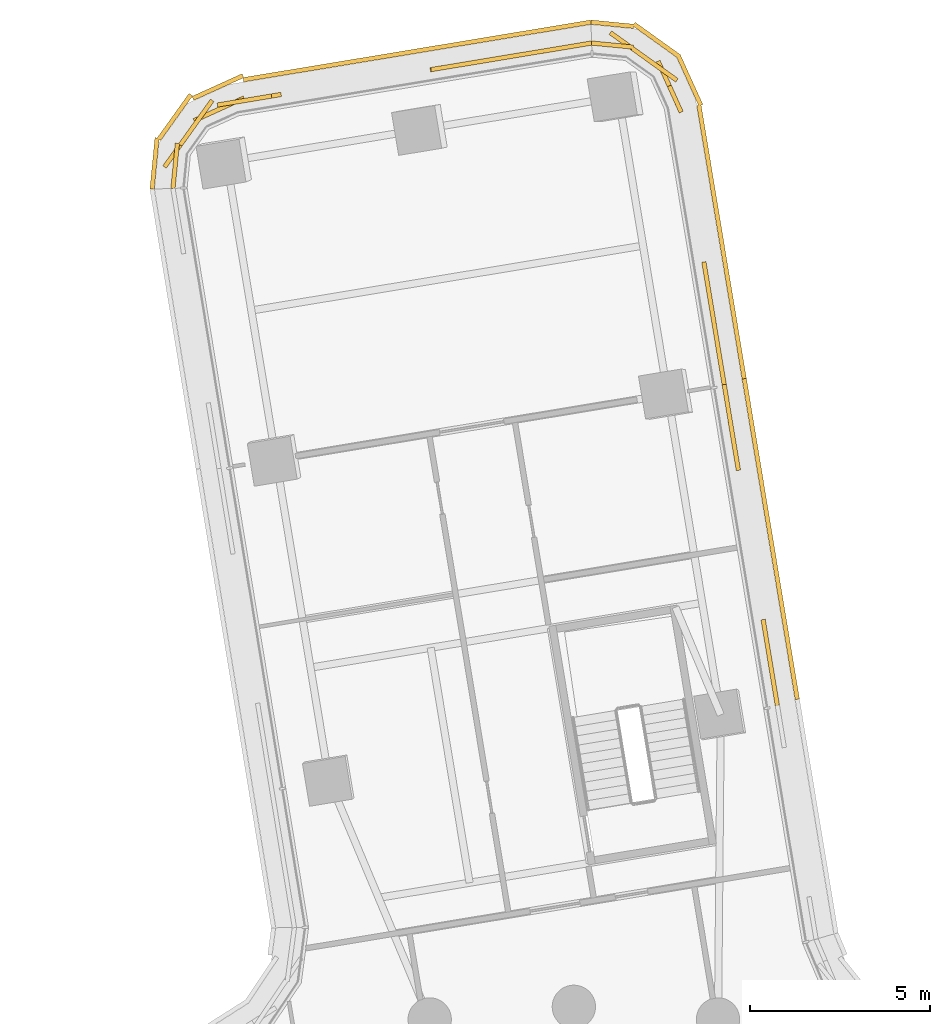
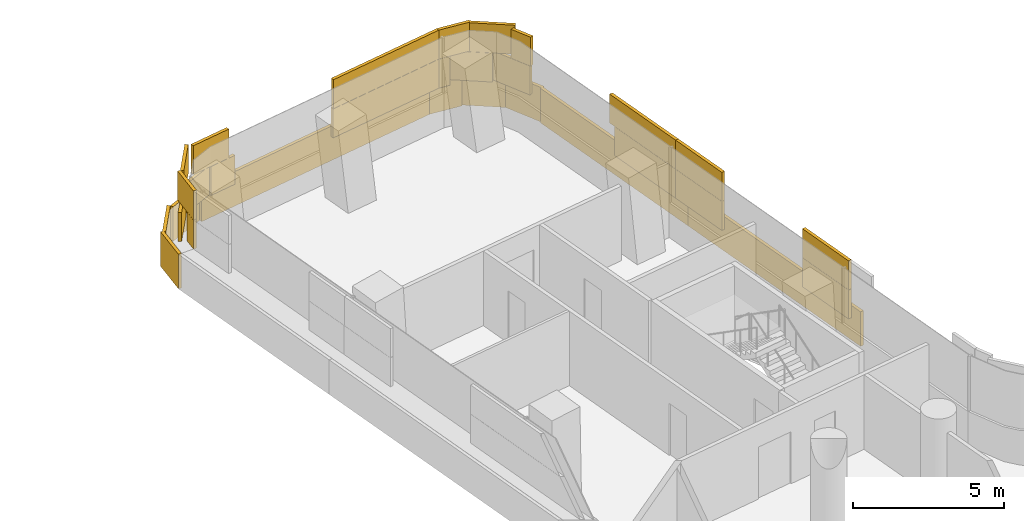
# One storey, part 32 of 32: 3 coverings.
"""IFC4 building model written with IfcOpenShell, lengths in metres."""

import ifcopenshell
import ifcopenshell.guid

model = None  # the IFC model being written
_history = None  # IfcOwnerHistory: only IFC2X3 demands one
_inside = {}  # id of a spatial element -> (the spatial element, [elements in it])
_under = {}  # id of a project, library or spatial element -> (it, [spatial elements below it])
_declared = {}  # id of a project -> (the project, [libraries it declares])
_typed = {}  # id of a type object -> (the type object, [elements of that type])
_made_of = {}  # id of a material, layer set ... -> (it, [elements and type objects made of it])


def new_model(schema):
    """Start an empty IFC model of exactly this schema.

    Asked for "IFC4X3", IfcOpenShell would pick the latest addendum, in which some entities
    have other attributes; the version numbers below select the first issue.
    IFC2X3 requires an IfcOwnerHistory on every rooted entity: one is made here for all.
    """
    global model, _history
    if schema == "IFC4X3":
        model = ifcopenshell.file(schema_version=(4, 3, 0, 0))
    else:
        model = ifcopenshell.file(schema=schema)
    _inside.clear()
    _under.clear()
    _declared.clear()
    _typed.clear()
    _made_of.clear()
    _history = None
    if model.schema == "IFC2X3":
        org = make("IfcOrganization", Name="unknown")
        user = make(
            "IfcPersonAndOrganization",
            ThePerson=make("IfcPerson", FamilyName="unknown"),
            TheOrganization=org,
        )
        app = make(
            "IfcApplication",
            ApplicationDeveloper=org,
            Version="unknown",
            ApplicationFullName="unknown",
            ApplicationIdentifier="unknown",
        )
        _history = make(
            "IfcOwnerHistory",
            OwningUser=user,
            OwningApplication=app,
            ChangeAction="ADDED",
            CreationDate=0,
        )
    return model


def make(cls, **values):
    """One entity of the class cls with the attributes given. An attribute that is None is left unset."""
    return model.create_entity(
        cls, **{name: value for name, value in values.items() if value is not None}
    )


def rooted(cls, **values):
    """An entity with a GlobalId (a new one), such as an element, a storey or a relation."""
    return make(cls, GlobalId=ifcopenshell.guid.new(), OwnerHistory=_history, **values)


def si_unit(unit_type, name, prefix=None):
    """IfcSIUnit, for example si_unit("LENGTHUNIT", "METRE", prefix="MILLI")."""
    return make("IfcSIUnit", UnitType=unit_type, Prefix=prefix, Name=name)


def assignment(units):
    """IfcUnitAssignment: the units of a project."""
    return None if units is None else make("IfcUnitAssignment", Units=units)


def point(xyz):
    """IfcCartesianPoint."""
    return None if xyz is None else make("IfcCartesianPoint", Coordinates=xyz)


def direction(xyz):
    """IfcDirection."""
    return None if xyz is None else make("IfcDirection", DirectionRatios=xyz)


def frame(location, z_axis=None, x_axis=None):
    """IfcAxis2Placement3D, a coordinate frame: its origin and axes. An axis left out is left unset."""
    return make(
        "IfcAxis2Placement3D",
        Location=point(location),
        Axis=direction(z_axis),
        RefDirection=direction(x_axis),
    )


def frame_2d(location, x_axis=None):
    """IfcAxis2Placement2D, a coordinate frame in the plane: its origin and x axis."""
    return make(
        "IfcAxis2Placement2D", Location=point(location), RefDirection=direction(x_axis)
    )


def origin():
    """The frame at (0, 0, 0) with its axes left unset."""
    return frame((0.0, 0.0, 0.0))


def origin_2d():
    """The frame at (0, 0) in the plane with its x axis left unset."""
    return frame_2d((0.0, 0.0))


def place(relative_to, where):
    """IfcLocalPlacement: puts the frame where relative to a parent placement (None: the world)."""
    return make(
        "IfcLocalPlacement", PlacementRelTo=relative_to, RelativePlacement=where
    )


def context(
    kind, dimensions, precision=None, world=None, true_north=None, identifier=None
):
    """IfcGeometricRepresentationContext, for example the 3D "Model" context."""
    return make(
        "IfcGeometricRepresentationContext",
        ContextIdentifier=identifier,
        ContextType=kind,
        CoordinateSpaceDimension=dimensions,
        Precision=precision,
        WorldCoordinateSystem=world,
        TrueNorth=true_north,
    )


def subcontext(parent, identifier, kind, view, scale=None):
    """IfcGeometricRepresentationSubContext, for example "Body" below "Model"."""
    return make(
        "IfcGeometricRepresentationSubContext",
        ContextIdentifier=identifier,
        ContextType=kind,
        ParentContext=parent,
        TargetScale=scale,
        TargetView=view,
    )


def project(units=None, contexts=None):
    """IfcProject with its units and contexts."""
    return rooted(
        "IfcProject",
        Name="project",
        RepresentationContexts=contexts,
        UnitsInContext=assignment(units),
    )


def spatial(cls, under=None, at=None, **own):
    """A site, building, storey or space (cls), placed at a placement, below another one or the project."""
    s = rooted(cls, ObjectPlacement=at, **own)
    if under is not None:
        _under.setdefault(under.id(), (under, []))[1].append(s)
    return s


def profile(cls, at=None, kind="AREA", **sizes):
    """A parametric profile (cls). Its sizes go by their IFC names, for example OverallWidth=200.0."""
    return make(cls, ProfileType=kind, Position=at, **sizes)


def rectangle(**sizes):
    """IfcRectangleProfileDef."""
    return profile("IfcRectangleProfileDef", **sizes)


def extrude(swept, where, along, depth):
    """IfcExtrudedAreaSolid: the profile swept, set in the frame where, extruded along a direction by depth."""
    return make(
        "IfcExtrudedAreaSolid",
        SweptArea=swept,
        Position=where,
        ExtrudedDirection=direction(along),
        Depth=depth,
    )


def shape(context_of_items, identifier, shape_type, items):
    """IfcShapeRepresentation: the items that make up one representation, for example the "Body"."""
    return make(
        "IfcShapeRepresentation",
        ContextOfItems=context_of_items,
        RepresentationIdentifier=identifier,
        RepresentationType=shape_type,
        Items=items,
    )


def material(Name=None, Category=None):
    """IfcMaterial."""
    return make("IfcMaterial", Name=Name, Category=Category)


def layer(
    of_material, thickness, ventilated=None, Name=None, Category=None, Priority=None
):
    """IfcMaterialLayer: one layer of a wall or slab, of a material (None: an air gap)."""
    return make(
        "IfcMaterialLayer",
        Material=of_material,
        LayerThickness=thickness,
        IsVentilated=ventilated,
        Name=Name,
        Category=Category,
        Priority=Priority,
    )


def layer_set(layers, Name=None):
    """IfcMaterialLayerSet."""
    return make("IfcMaterialLayerSet", MaterialLayers=layers, LayerSetName=Name)


def made_of(thing, what):
    """Note that an element or type object is made of a material, layer set ...; save() writes the relation."""
    if what is not None:
        _made_of.setdefault(what.id(), (what, []))[1].append(thing)
    return thing


def type_object(cls, material=None, **own):
    """A type object (cls), such as IfcWallType, which elements share."""
    return made_of(rooted(cls, **own), material)


def element(
    cls,
    number,
    at=None,
    inside=None,
    cuts=None,
    type_object=None,
    material=None,
    context=None,
    identifier="Body",
    shape_type=None,
    held_by="IfcProductDefinitionShape",
    body=None,
    shapes=None,
    **own,
):
    """One element of the class cls, such as IfcWall. Its Tag is "e" and its number.

    at: its placement. inside: the storey or other place that contains it. cuts: it is an
    opening in that element (IfcRelVoidsElement). A single representation is given by context,
    identifier, shape_type and body (its items); several are given by shapes. held_by: the class
    of the entity that holds the representations. save() writes the other relations.
    """
    e = rooted(cls, Tag="e%d" % number, ObjectPlacement=at, **own)
    if body is not None:
        shapes = [shape(context, identifier, shape_type, body)]
    if shapes is not None:
        e.Representation = make(held_by, Representations=shapes)
    if inside is not None:
        _inside.setdefault(inside.id(), (inside, []))[1].append(e)
    if cuts is not None:
        rooted(
            "IfcRelVoidsElement", RelatingBuildingElement=cuts, RelatedOpeningElement=e
        )
    if type_object is not None:
        _typed.setdefault(type_object.id(), (type_object, []))[1].append(e)
    return made_of(e, material)


def aggregate(whole, parts):
    """IfcRelAggregates: a whole, such as a stair, and the parts it consists of."""
    return rooted("IfcRelAggregates", RelatingObject=whole, RelatedObjects=parts)


def save(model, path):
    """Write the relations noted so far, then the file.

    IfcRelAggregates (storeys below a building ...), IfcRelContainedInSpatialStructure (elements
    in a storey), IfcRelDefinesByType, IfcRelAssociatesMaterial and IfcRelDeclares: one each for
    every whole, place, type object, material and project.
    """
    for whole, parts in _under.values():
        aggregate(whole, parts)
    for where, things in _inside.values():
        rooted(
            "IfcRelContainedInSpatialStructure",
            RelatedElements=things,
            RelatingStructure=where,
        )
    for kind, things in _typed.values():
        rooted("IfcRelDefinesByType", RelatedObjects=things, RelatingType=kind)
    for what, things in _made_of.values():
        rooted("IfcRelAssociatesMaterial", RelatedObjects=things, RelatingMaterial=what)
    for by, libraries in _declared.values():
        rooted("IfcRelDeclares", RelatingContext=by, RelatedDefinitions=libraries)
    model.write(path)


model = new_model("IFC4")

# Units and contexts
model_context = context("Model", 3, precision=1e-05, world=origin(), true_north=direction((0.0, 1.0)))
body_context = subcontext(model_context, "Body", "Model", "MODEL_VIEW")
ifc_project = project(units=[si_unit("LENGTHUNIT", "METRE"), si_unit("AREAUNIT", "SQUARE_METRE"), si_unit("VOLUMEUNIT", "CUBIC_METRE"), si_unit("PLANEANGLEUNIT", "RADIAN"), si_unit("MASSUNIT", "GRAM", prefix="KILO")], contexts=[model_context])

# Site, building, storey
site_placement = place(None, origin())
site = spatial("IfcSite", under=ifc_project, at=site_placement, CompositionType="ELEMENT")
building_placement = place(site_placement, origin())
building = spatial("IfcBuilding", under=site, at=building_placement, Name="Tamarind Cross Interchange Tower", CompositionType="ELEMENT")
storey_placement = place(building_placement, frame((0.0, 0.0, 67.75)))
storey = spatial("IfcBuildingStorey", under=building, at=storey_placement, Name="L15", CompositionType="ELEMENT", Elevation=67.75)

# Coverings
ifc_material = material(Name="Terracotta", Category="masonry")
ifc_layer = layer(ifc_material, 0.1201171875)
ifc_layer_set = layer_set([ifc_layer], Name="Terracotta")
covering_type = type_object("IfcCoveringType", Name="Terracotta baguette screen unit", PredefinedType="MOLDING", material=ifc_layer_set)
covering_1_placement = place(storey_placement, origin())
element("IfcCovering", 1, at=covering_1_placement, inside=storey, type_object=covering_type, Name="SCR-L15-00-00", PredefinedType="MOLDING", context=body_context, shape_type="SweptSolid", body=[
    extrude(rectangle(XDim=0.760009765625, YDim=0.1201171875, at=origin_2d()), frame((0.122314453125, 49.641845703125, 1.404052734375), z_axis=(0.0, 0.0, 1.0), x_axis=(-0.986563038226, -0.163381062571, 0.0)), (0.0, 0.0, 1.0), 1.1669921875),
    extrude(rectangle(XDim=1.52001953125, YDim=0.1201171875, at=origin_2d()), frame((-0.987548828125, 49.4580078125, 1.404052734375), z_axis=(0.0, 0.0, 1.0), x_axis=(-0.986563038226, -0.163381062571, 0.0)), (0.0, 0.0, 1.0), 1.1669921875),
    extrude(rectangle(XDim=1.52001953125, YDim=0.1201171875, at=origin_2d()), frame((-2.46728515625, 49.212890625, 1.404052734375), z_axis=(0.0, 0.0, 1.0), x_axis=(-0.986563038226, -0.163381062571, 0.0)), (0.0, 0.0, 1.0), 1.1669921875),
    extrude(rectangle(XDim=0.784912109375, YDim=0.1201171875, at=origin_2d()), frame((-3.589599609375, 49.027099609375, 1.404052734375), z_axis=(0.0, 0.0, 1.0), x_axis=(-0.986563038226, -0.163381062571, 0.0)), (0.0, 0.0, 1.0), 1.1669921875),
    extrude(rectangle(XDim=1.03515625, YDim=0.1201171875, at=origin_2d()), frame((-8.620849609375, 48.19384765625, 1.404052734375), z_axis=(0.0, 0.0, 1.0), x_axis=(-0.986563038226, -0.163381062571, 0.0)), (0.0, 0.0, 1.0), 1.1669921875),
    extrude(rectangle(XDim=1.52001953125, YDim=0.1201171875, at=origin_2d()), frame((-9.830322265625, 47.868408203125, 1.404052734375), z_axis=(0.0, 0.0, 1.0), x_axis=(-0.910660587282, -0.413155291351, 0.0)), (0.0, 0.0, 1.0), 1.1669921875),
    extrude(rectangle(XDim=1.52001953125, YDim=0.1201171875, at=origin_2d()), frame((-10.89892578125, 46.88671875, 1.404052734375), z_axis=(0.0, 0.0, 1.0), x_axis=(-0.582077557136, -0.813133271659, 0.0)), (0.0, 0.0, 1.0), 1.1669921875),
    extrude(rectangle(XDim=0.509521484375, YDim=0.1201171875, at=origin_2d()), frame((-11.0830078125, 45.92431640625, 1.404052734375), z_axis=(0.0, 0.0, 1.0), x_axis=(-0.097527315623, -0.995232848487, 0.0)), (0.0, 0.0, 1.0), 1.1669921875),
    extrude(rectangle(XDim=1.510009765625, YDim=0.1201171875, at=origin_2d()), frame((-0.24755859375, 49.58056640625, 2.5791015625), z_axis=(0.0, 0.0, 1.0), x_axis=(-0.986563038226, -0.163381062571, 0.0)), (0.0, 0.0, 1.0), 1.1669921875),
    extrude(rectangle(XDim=1.52001953125, YDim=0.1201171875, at=origin_2d()), frame((-1.7275390625, 49.33544921875, 2.5791015625), z_axis=(0.0, 0.0, 1.0), x_axis=(-0.986563038226, -0.163381062571, 0.0)), (0.0, 0.0, 1.0), 1.1669921875),
    extrude(rectangle(XDim=1.52001953125, YDim=0.1201171875, at=origin_2d()), frame((-3.207275390625, 49.09033203125, 2.5791015625), z_axis=(0.0, 0.0, 1.0), x_axis=(-0.986563038226, -0.163381062571, 0.0)), (0.0, 0.0, 1.0), 1.1669921875),
    extrude(rectangle(XDim=1.52001953125, YDim=0.1201171875, at=origin_2d()), frame((-9.126708984375, 48.110107421875, 2.5791015625), z_axis=(0.0, 0.0, 1.0), x_axis=(-0.986563038226, -0.163381062571, 0.0)), (0.0, 0.0, 1.0), 1.1669921875),
    extrude(rectangle(XDim=1.52001953125, YDim=0.1201171875, at=origin_2d()), frame((-10.46240234375, 47.49658203125, 2.5791015625), z_axis=(0.0, 0.0, 1.0), x_axis=(-0.582077557136, -0.813133271659, 0.0)), (0.0, 0.0, 1.0), 1.1669921875),
    extrude(rectangle(XDim=1.259521484375, YDim=0.1201171875, at=origin_2d()), frame((-11.04638671875, 46.29736328125, 2.5791015625), z_axis=(0.0, 0.0, 1.0), x_axis=(-0.097527315623, -0.995232848487, 0.0)), (0.0, 0.0, 1.0), 1.1669921875),
    extrude(rectangle(XDim=0.760009765625, YDim=0.1201171875, at=origin_2d()), frame((0.09814453125, 50.219482421875, 0.00390625), z_axis=(0.0, 0.0, 1.0), x_axis=(-0.986563038226, -0.163381062571, 0.0)), (0.0, 0.0, 1.0), 1.39208984375),
    extrude(rectangle(XDim=1.52001953125, YDim=0.1201171875, at=origin_2d()), frame((-1.0068359375, 50.03662109375, 0.00390625), z_axis=(0.0, 0.0, 1.0), x_axis=(-0.986563038226, -0.163381062571, 0.0)), (0.0, 0.0, 1.0), 1.39208984375),
    extrude(rectangle(XDim=1.52001953125, YDim=0.1201171875, at=origin_2d()), frame((-2.486572265625, 49.79150390625, 0.00390625), z_axis=(0.0, 0.0, 1.0), x_axis=(-0.986563038226, -0.163381062571, 0.0)), (0.0, 0.0, 1.0), 1.39208984375),
    extrude(rectangle(XDim=1.52001953125, YDim=0.1201171875, at=origin_2d()), frame((-3.966552734375, 49.54638671875, 0.00390625), z_axis=(0.0, 0.0, 1.0), x_axis=(-0.986563038226, -0.163381062571, 0.0)), (0.0, 0.0, 1.0), 1.39208984375),
    extrude(rectangle(XDim=1.52001953125, YDim=0.1201171875, at=origin_2d()), frame((-5.4462890625, 49.30126953125, 0.00390625), z_axis=(0.0, 0.0, 1.0), x_axis=(-0.986563038226, -0.163381062571, 0.0)), (0.0, 0.0, 1.0), 1.39208984375),
    extrude(rectangle(XDim=1.52001953125, YDim=0.1201171875, at=origin_2d()), frame((-6.926025390625, 49.05615234375, 0.00390625), z_axis=(0.0, 0.0, 1.0), x_axis=(-0.986563038226, -0.163381062571, 0.0)), (0.0, 0.0, 1.0), 1.39208984375),
    extrude(rectangle(XDim=1.52001953125, YDim=0.1201171875, at=origin_2d()), frame((-8.406005859375, 48.811279296875, 0.00390625), z_axis=(0.0, 0.0, 1.0), x_axis=(-0.986563038226, -0.163381062571, 0.0)), (0.0, 0.0, 1.0), 1.39208984375),
    extrude(rectangle(XDim=1.52001953125, YDim=0.1201171875, at=origin_2d()), frame((-9.861083984375, 48.48486328125, 0.00390625), z_axis=(0.0, 0.0, 1.0), x_axis=(-0.910660587282, -0.413155291351, 0.0)), (0.0, 0.0, 1.0), 1.39208984375),
    extrude(rectangle(XDim=1.52001953125, YDim=0.1201171875, at=origin_2d()), frame((-11.0546875, 47.6552734375, 0.00390625), z_axis=(0.0, 0.0, 1.0), x_axis=(-0.582077557136, -0.813133271659, 0.0)), (0.0, 0.0, 1.0), 1.39208984375),
    extrude(rectangle(XDim=1.4267578125, YDim=0.1201171875, at=origin_2d()), frame((-11.616455078125, 46.36669921875, 0.00390625), z_axis=(0.0, 0.0, 1.0), x_axis=(-0.097527315623, -0.995232848487, 0.0)), (0.0, 0.0, 1.0), 1.39208984375),
])
covering_2_placement = place(storey_placement, origin())
element("IfcCovering", 2, at=covering_2_placement, inside=storey, type_object=covering_type, Name="SCR-L15-15-01", PredefinedType="MOLDING", context=body_context, shape_type="SweptSolid", body=[
    extrude(rectangle(XDim=0.18994140625, YDim=0.1201171875, at=origin_2d()), frame((5.6220703125, 31.446533203125, 1.404052734375), z_axis=(0.0, 0.0, 1.0), x_axis=(-0.163381062571, 0.986563038226, 0.0)), (0.0, 0.0, 1.0), 1.1669921875),
    extrude(rectangle(XDim=1.52001953125, YDim=0.1201171875, at=origin_2d()), frame((5.48486328125, 32.275146484375, 1.404052734375), z_axis=(0.0, 0.0, 1.0), x_axis=(-0.163381062571, 0.986563038226, 0.0)), (0.0, 0.0, 1.0), 1.1669921875),
    extrude(rectangle(XDim=0.730224609375, YDim=0.1201171875, at=origin_2d()), frame((5.303466796875, 33.370361328125, 1.404052734375), z_axis=(0.0, 0.0, 1.0), x_axis=(-0.163381062571, 0.986563038226, 0.0)), (0.0, 0.0, 1.0), 1.1669921875),
    extrude(rectangle(XDim=1.08984375, YDim=0.1201171875, at=origin_2d()), frame((4.47021484375, 38.40185546875, 1.404052734375), z_axis=(0.0, 0.0, 1.0), x_axis=(-0.163381062571, 0.986563038226, 0.0)), (0.0, 0.0, 1.0), 1.1669921875),
    extrude(rectangle(XDim=1.330322265625, YDim=0.1201171875, at=origin_2d()), frame((4.274169921875, 39.585693359375, 1.404052734375), z_axis=(0.0, 0.0, 1.0), x_axis=(-0.163381062571, 0.986563038226, 0.0)), (0.0, 0.0, 1.0), 1.1669921875),
    extrude(rectangle(XDim=0.93994140625, YDim=0.1201171875, at=origin_2d()), frame((5.560791015625, 31.81640625, 2.5791015625), z_axis=(0.0, 0.0, 1.0), x_axis=(-0.163381062571, 0.986563038226, 0.0)), (0.0, 0.0, 1.0), 1.1669921875),
    extrude(rectangle(XDim=1.480224609375, YDim=0.1201171875, at=origin_2d()), frame((5.36474609375, 33.00048828125, 2.5791015625), z_axis=(0.0, 0.0, 1.0), x_axis=(-0.163381062571, 0.986563038226, 0.0)), (0.0, 0.0, 1.0), 1.1669921875),
    extrude(rectangle(XDim=0.33984375, YDim=0.1201171875, at=origin_2d()), frame((4.531494140625, 38.031982421875, 2.5791015625), z_axis=(0.0, 0.0, 1.0), x_axis=(-0.163381062571, 0.986563038226, 0.0)), (0.0, 0.0, 1.0), 1.1669921875),
    extrude(rectangle(XDim=1.52001953125, YDim=0.1201171875, at=origin_2d()), frame((4.382080078125, 38.9345703125, 2.5791015625), z_axis=(0.0, 0.0, 1.0), x_axis=(-0.163381062571, 0.986563038226, 0.0)), (0.0, 0.0, 1.0), 1.1669921875),
    extrude(rectangle(XDim=0.580322265625, YDim=0.1201171875, at=origin_2d()), frame((4.212890625, 39.955810546875, 2.5791015625), z_axis=(0.0, 0.0, 1.0), x_axis=(-0.163381062571, 0.986563038226, 0.0)), (0.0, 0.0, 1.0), 1.1669921875),
    extrude(rectangle(XDim=0.18798828125, YDim=0.1201171875, at=origin_2d()), frame((6.176513671875, 31.613037109375, 0.00390625), z_axis=(0.0, 0.0, 1.0), x_axis=(-0.163381062571, 0.986563038226, 0.0)), (0.0, 0.0, 1.0), 1.39208984375),
    extrude(rectangle(XDim=1.52001953125, YDim=0.1201171875, at=origin_2d()), frame((6.0400390625, 32.435791015625, 0.00390625), z_axis=(0.0, 0.0, 1.0), x_axis=(-0.163381062571, 0.986563038226, 0.0)), (0.0, 0.0, 1.0), 1.39208984375),
    extrude(rectangle(XDim=1.52001953125, YDim=0.1201171875, at=origin_2d()), frame((5.795166015625, 33.915771484375, 0.00390625), z_axis=(0.0, 0.0, 1.0), x_axis=(-0.163381062571, 0.986563038226, 0.0)), (0.0, 0.0, 1.0), 1.39208984375),
    extrude(rectangle(XDim=1.52001953125, YDim=0.1201171875, at=origin_2d()), frame((5.550048828125, 35.3955078125, 0.00390625), z_axis=(0.0, 0.0, 1.0), x_axis=(-0.163381062571, 0.986563038226, 0.0)), (0.0, 0.0, 1.0), 1.39208984375),
    extrude(rectangle(XDim=1.52001953125, YDim=0.1201171875, at=origin_2d()), frame((5.304931640625, 36.875244140625, 0.00390625), z_axis=(0.0, 0.0, 1.0), x_axis=(-0.163381062571, 0.986563038226, 0.0)), (0.0, 0.0, 1.0), 1.39208984375),
    extrude(rectangle(XDim=1.52001953125, YDim=0.1201171875, at=origin_2d()), frame((5.059814453125, 38.355224609375, 0.00390625), z_axis=(0.0, 0.0, 1.0), x_axis=(-0.163381062571, 0.986563038226, 0.0)), (0.0, 0.0, 1.0), 1.39208984375),
    extrude(rectangle(XDim=1.335693359375, YDim=0.1201171875, at=origin_2d()), frame((4.829833984375, 39.744140625, 0.00390625), z_axis=(0.0, 0.0, 1.0), x_axis=(-0.163381062571, 0.986563038226, 0.0)), (0.0, 0.0, 1.0), 1.39208984375),
])
covering_3_placement = place(storey_placement, origin())
element("IfcCovering", 3, at=covering_3_placement, inside=storey, type_object=covering_type, Name="SCR-L15-15-02", PredefinedType="MOLDING", context=body_context, shape_type="SweptSolid", body=[
    extrude(rectangle(XDim=0.189697265625, YDim=0.1201171875, at=origin_2d()), frame((4.151611328125, 40.32568359375, 1.404052734375), z_axis=(0.0, 0.0, 1.0), x_axis=(-0.163381062571, 0.986563038226, 0.0)), (0.0, 0.0, 1.0), 1.1669921875),
    extrude(rectangle(XDim=1.52001953125, YDim=0.1201171875, at=origin_2d()), frame((4.014404296875, 41.154296875, 1.404052734375), z_axis=(0.0, 0.0, 1.0), x_axis=(-0.163381062571, 0.986563038226, 0.0)), (0.0, 0.0, 1.0), 1.1669921875),
    extrude(rectangle(XDim=1.52001953125, YDim=0.1201171875, at=origin_2d()), frame((3.76953125, 42.634033203125, 1.404052734375), z_axis=(0.0, 0.0, 1.0), x_axis=(-0.163381062571, 0.986563038226, 0.0)), (0.0, 0.0, 1.0), 1.1669921875),
    extrude(rectangle(XDim=1.52001953125, YDim=0.1201171875, at=origin_2d()), frame((2.64697265625, 48.51025390625, 1.404052734375), z_axis=(0.0, 0.0, 1.0), x_axis=(-0.413155291351, 0.910660587282, 0.0)), (0.0, 0.0, 1.0), 1.1669921875),
    extrude(rectangle(XDim=1.52001953125, YDim=0.1201171875, at=origin_2d()), frame((1.62841796875, 49.548583984375, 1.404052734375), z_axis=(0.0, 0.0, 1.0), x_axis=(-0.813133271659, 0.582077557136, 0.0)), (0.0, 0.0, 1.0), 1.1669921875),
    extrude(rectangle(XDim=0.417236328125, YDim=0.1201171875, at=origin_2d()), frame((0.69482421875, 49.68310546875, 1.404052734375), z_axis=(0.0, 0.0, 1.0), x_axis=(-0.995232848487, 0.097527315623, 0.0)), (0.0, 0.0, 1.0), 1.1669921875),
    extrude(rectangle(XDim=0.939697265625, YDim=0.1201171875, at=origin_2d()), frame((4.09033203125, 40.69580078125, 2.5791015625), z_axis=(0.0, 0.0, 1.0), x_axis=(-0.163381062571, 0.986563038226, 0.0)), (0.0, 0.0, 1.0), 1.1669921875),
    extrude(rectangle(XDim=1.52001953125, YDim=0.1201171875, at=origin_2d()), frame((3.891845703125, 41.894287109375, 2.5791015625), z_axis=(0.0, 0.0, 1.0), x_axis=(-0.163381062571, 0.986563038226, 0.0)), (0.0, 0.0, 1.0), 1.1669921875),
    extrude(rectangle(XDim=1.023681640625, YDim=0.1201171875, at=origin_2d()), frame((3.6865234375, 43.13427734375, 2.5791015625), z_axis=(0.0, 0.0, 1.0), x_axis=(-0.163381062571, 0.986563038226, 0.0)), (0.0, 0.0, 1.0), 1.1669921875),
    extrude(rectangle(XDim=0.796142578125, YDim=0.1201171875, at=origin_2d()), frame((2.8095703125, 48.15234375, 2.5791015625), z_axis=(0.0, 0.0, 1.0), x_axis=(-0.413155291351, 0.910660587282, 0.0)), (0.0, 0.0, 1.0), 1.1669921875),
    extrude(rectangle(XDim=1.52001953125, YDim=0.1201171875, at=origin_2d()), frame((2.23828125, 49.112060546875, 2.5791015625), z_axis=(0.0, 0.0, 1.0), x_axis=(-0.813133271659, 0.582077557136, 0.0)), (0.0, 0.0, 1.0), 1.1669921875),
    extrude(rectangle(XDim=1.167236328125, YDim=0.1201171875, at=origin_2d()), frame((1.068115234375, 49.646484375, 2.5791015625), z_axis=(0.0, 0.0, 1.0), x_axis=(-0.995232848487, 0.097527315623, 0.0)), (0.0, 0.0, 1.0), 1.1669921875),
    extrude(rectangle(XDim=0.184326171875, YDim=0.1201171875, at=origin_2d()), frame((4.70556640625, 40.493896484375, 0.00390625), z_axis=(0.0, 0.0, 1.0), x_axis=(-0.163381062571, 0.986563038226, 0.0)), (0.0, 0.0, 1.0), 1.39208984375),
    extrude(rectangle(XDim=1.52001953125, YDim=0.1201171875, at=origin_2d()), frame((4.56982421875, 41.31494140625, 0.00390625), z_axis=(0.0, 0.0, 1.0), x_axis=(-0.163381062571, 0.986563038226, 0.0)), (0.0, 0.0, 1.0), 1.39208984375),
    extrude(rectangle(XDim=1.52001953125, YDim=0.1201171875, at=origin_2d()), frame((4.32470703125, 42.794677734375, 0.00390625), z_axis=(0.0, 0.0, 1.0), x_axis=(-0.163381062571, 0.986563038226, 0.0)), (0.0, 0.0, 1.0), 1.39208984375),
    extrude(rectangle(XDim=1.52001953125, YDim=0.1201171875, at=origin_2d()), frame((4.07958984375, 44.274658203125, 0.00390625), z_axis=(0.0, 0.0, 1.0), x_axis=(-0.163381062571, 0.986563038226, 0.0)), (0.0, 0.0, 1.0), 1.39208984375),
    extrude(rectangle(XDim=1.52001953125, YDim=0.1201171875, at=origin_2d()), frame((3.83447265625, 45.75439453125, 0.00390625), z_axis=(0.0, 0.0, 1.0), x_axis=(-0.163381062571, 0.986563038226, 0.0)), (0.0, 0.0, 1.0), 1.39208984375),
    extrude(rectangle(XDim=1.52001953125, YDim=0.1201171875, at=origin_2d()), frame((3.58935546875, 47.234130859375, 0.00390625), z_axis=(0.0, 0.0, 1.0), x_axis=(-0.163381062571, 0.986563038226, 0.0)), (0.0, 0.0, 1.0), 1.39208984375),
    extrude(rectangle(XDim=1.52001953125, YDim=0.1201171875, at=origin_2d()), frame((3.204345703125, 48.671630859375, 0.00390625), z_axis=(0.0, 0.0, 1.0), x_axis=(-0.413155291351, 0.910660587282, 0.0)), (0.0, 0.0, 1.0), 1.39208984375),
    extrude(rectangle(XDim=1.52001953125, YDim=0.1201171875, at=origin_2d()), frame((2.2802734375, 49.78759765625, 0.00390625), z_axis=(0.0, 0.0, 1.0), x_axis=(-0.813133271659, 0.582077557136, 0.0)), (0.0, 0.0, 1.0), 1.39208984375),
    extrude(rectangle(XDim=1.19140625, YDim=0.1201171875, at=origin_2d()), frame((1.06591796875, 50.2236328125, 0.00390625), z_axis=(0.0, 0.0, 1.0), x_axis=(-0.995232848487, 0.097527315623, 0.0)), (0.0, 0.0, 1.0), 1.39208984375),
])

save(model, "model.ifc")
